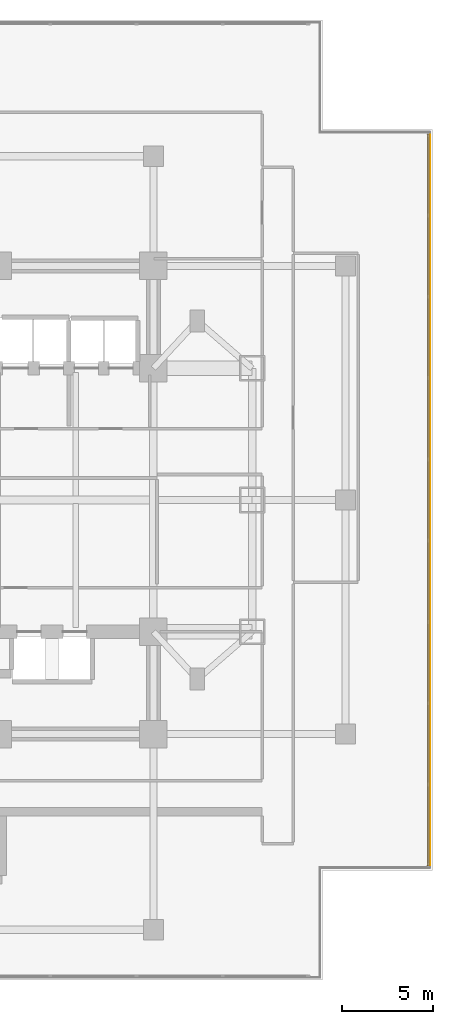
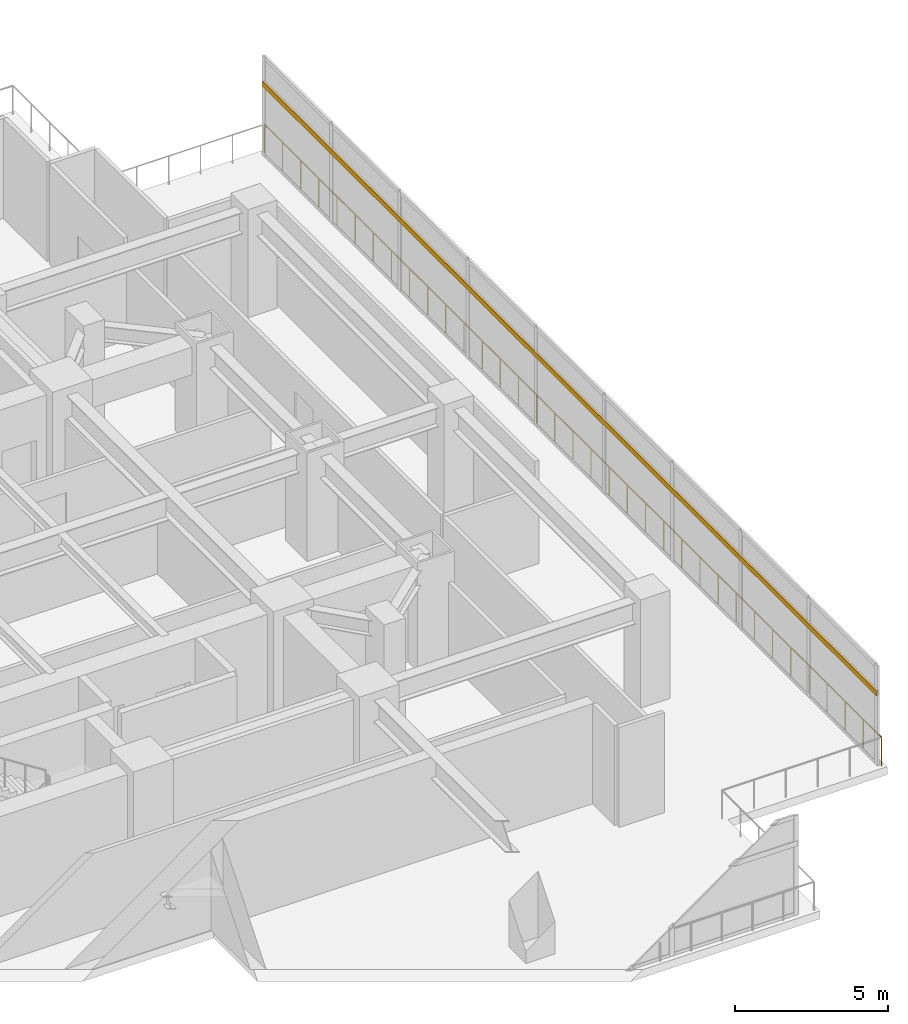
# One storey, part 29 of 31: 1 railing, 1 shading device.
"""IFC4 building model written with IfcOpenShell, lengths in metres."""

from ifc_helpers import new_model, si_unit, direction, frame, origin, origin_2d, place, context, subcontext, project, spatial, rectangle, circle, extrude, material, material_profile, profile_set, type_object, element, save


model = new_model("IFC4")

# Units and contexts
model_context = context("Model", 3, precision=1e-05, world=origin(), true_north=direction((0.0, 1.0)))
body_context = subcontext(model_context, "Body", "Model", "MODEL_VIEW")
ifc_project = project(units=[si_unit("LENGTHUNIT", "METRE"), si_unit("AREAUNIT", "SQUARE_METRE"), si_unit("VOLUMEUNIT", "CUBIC_METRE"), si_unit("PLANEANGLEUNIT", "RADIAN"), si_unit("MASSUNIT", "GRAM", prefix="KILO")], contexts=[model_context])

# Site, building, storey
site_placement = place(None, origin())
site = spatial("IfcSite", under=ifc_project, at=site_placement, CompositionType="ELEMENT")
building_placement = place(site_placement, origin())
building = spatial("IfcBuilding", under=site, at=building_placement, Name="Mirazonda Arch Towers", CompositionType="ELEMENT")
storey_placement = place(building_placement, frame((0.0, 0.0, 5.199951171875)))
storey = spatial("IfcBuildingStorey", under=building, at=storey_placement, Name="L01", CompositionType="ELEMENT", Elevation=5.199951171875)

# Shading device
ifc_material_1 = material(Name="Kiln-Fired Architectural Terracotta", Category="masonry")
ifc_material_profile = material_profile(ifc_material_1, rectangle(XDim=0.10009765625, YDim=0.199951171875, at=origin_2d()), Name="TERRA-BAG-100x200")
ifc_profile_set = profile_set([ifc_material_profile], Name="Kiln-Fired Architectural Terracotta")
shading_device_type = type_object("IfcShadingDeviceType", Name="BAGUETTE-2", PredefinedType="USERDEFINED", material=ifc_profile_set)
shading_device_placement = place(storey_placement, frame((100.030029296875, 8.0, 2.851318359375), z_axis=(0.0, 1.0, 0.0), x_axis=(-1.0, 0.0, 0.0)))
element("IfcShadingDevice", 1, at=shading_device_placement, inside=storey, type_object=shading_device_type, Name="L01 Glazed Terracotta Sun-Screen Baguette CW-L01-EE", ObjectType="BAGUETTE", PredefinedType="USERDEFINED", context=body_context, shape_type="SweptSolid", body=[
    extrude(rectangle(XDim=0.10009765625, YDim=0.199951171875, at=origin_2d()), origin(), (0.0, 0.0, 1.0), 40.0),
])

# Railing
ifc_material_2 = material(Name="Architectural Brushed Steel S355", Category="steel")
railing_type = type_object("IfcRailingType", Name="GUARD-EXT-1150", PredefinedType="GUARDRAIL", material=ifc_material_2)
railing_placement = place(storey_placement, frame((100.110107421875, 7.889892578125, 0.0)))
element("IfcRailing", 2, at=railing_placement, inside=storey, type_object=railing_type, Name="L01 L01 East Podium Perimeter Guard 04", PredefinedType="GUARDRAIL", context=body_context, shape_type="SweptSolid", body=[
    extrude(circle(Radius=0.02392578125, at=origin_2d()), frame((0.0, 0.0, 1.1259765625), z_axis=(0.0, 1.0, 0.0), x_axis=(-1.0, 0.0, 0.0)), (0.0, 0.0, 1.0), 40.22021484375),
    extrude(circle(Radius=0.02099609375, at=origin_2d()), origin(), (0.0, 0.0, 1.0), 1.101806640625),
    extrude(circle(Radius=0.02099609375, at=origin_2d()), frame((0.0, 1.182861328125, 0.0)), (0.0, 0.0, 1.0), 1.101806640625),
    extrude(circle(Radius=0.02099609375, at=origin_2d()), frame((0.0, 2.365966796875, 0.0)), (0.0, 0.0, 1.0), 1.101806640625),
    extrude(circle(Radius=0.02099609375, at=origin_2d()), frame((0.0, 3.548828125, 0.0)), (0.0, 0.0, 1.0), 1.101806640625),
    extrude(circle(Radius=0.02099609375, at=origin_2d()), frame((0.0, 4.731689453125, 0.0)), (0.0, 0.0, 1.0), 1.101806640625),
    extrude(circle(Radius=0.02099609375, at=origin_2d()), frame((0.0, 5.914794921875, 0.0)), (0.0, 0.0, 1.0), 1.101806640625),
    extrude(circle(Radius=0.02099609375, at=origin_2d()), frame((0.0, 7.09765625, 0.0)), (0.0, 0.0, 1.0), 1.101806640625),
    extrude(circle(Radius=0.02099609375, at=origin_2d()), frame((0.0, 8.280517578125, 0.0)), (0.0, 0.0, 1.0), 1.101806640625),
    extrude(circle(Radius=0.02099609375, at=origin_2d()), frame((0.0, 9.463623046875, 0.0)), (0.0, 0.0, 1.0), 1.101806640625),
    extrude(circle(Radius=0.02099609375, at=origin_2d()), frame((0.0, 10.646484375, 0.0)), (0.0, 0.0, 1.0), 1.101806640625),
    extrude(circle(Radius=0.02099609375, at=origin_2d()), frame((0.0, 11.82958984375, 0.0)), (0.0, 0.0, 1.0), 1.101806640625),
    extrude(circle(Radius=0.02099609375, at=origin_2d()), frame((0.0, 13.012451171875, 0.0)), (0.0, 0.0, 1.0), 1.101806640625),
    extrude(circle(Radius=0.02099609375, at=origin_2d()), frame((0.0, 14.1953125, 0.0)), (0.0, 0.0, 1.0), 1.101806640625),
    extrude(circle(Radius=0.02099609375, at=origin_2d()), frame((0.0, 15.37841796875, 0.0)), (0.0, 0.0, 1.0), 1.101806640625),
    extrude(circle(Radius=0.02099609375, at=origin_2d()), frame((0.0, 16.561279296875, 0.0)), (0.0, 0.0, 1.0), 1.101806640625),
    extrude(circle(Radius=0.02099609375, at=origin_2d()), frame((0.0, 17.744140625, 0.0)), (0.0, 0.0, 1.0), 1.101806640625),
    extrude(circle(Radius=0.02099609375, at=origin_2d()), frame((0.0, 18.92724609375, 0.0)), (0.0, 0.0, 1.0), 1.101806640625),
    extrude(circle(Radius=0.02099609375, at=origin_2d()), frame((0.0, 20.110107421875, 0.0)), (0.0, 0.0, 1.0), 1.101806640625),
    extrude(circle(Radius=0.02099609375, at=origin_2d()), frame((0.0, 21.29296875, 0.0)), (0.0, 0.0, 1.0), 1.101806640625),
    extrude(circle(Radius=0.02099609375, at=origin_2d()), frame((0.0, 22.47607421875, 0.0)), (0.0, 0.0, 1.0), 1.101806640625),
    extrude(circle(Radius=0.02099609375, at=origin_2d()), frame((0.0, 23.658935546875, 0.0)), (0.0, 0.0, 1.0), 1.101806640625),
    extrude(circle(Radius=0.02099609375, at=origin_2d()), frame((0.0, 24.841796875, 0.0)), (0.0, 0.0, 1.0), 1.101806640625),
    extrude(circle(Radius=0.02099609375, at=origin_2d()), frame((0.0, 26.02490234375, 0.0)), (0.0, 0.0, 1.0), 1.101806640625),
    extrude(circle(Radius=0.02099609375, at=origin_2d()), frame((0.0, 27.207763671875, 0.0)), (0.0, 0.0, 1.0), 1.101806640625),
    extrude(circle(Radius=0.02099609375, at=origin_2d()), frame((0.0, 28.390625, 0.0)), (0.0, 0.0, 1.0), 1.101806640625),
    extrude(circle(Radius=0.02099609375, at=origin_2d()), frame((0.0, 29.57373046875, 0.0)), (0.0, 0.0, 1.0), 1.101806640625),
    extrude(circle(Radius=0.02099609375, at=origin_2d()), frame((0.0, 30.756591796875, 0.0)), (0.0, 0.0, 1.0), 1.101806640625),
    extrude(circle(Radius=0.02099609375, at=origin_2d()), frame((0.0, 31.939697265625, 0.0)), (0.0, 0.0, 1.0), 1.101806640625),
    extrude(circle(Radius=0.02099609375, at=origin_2d()), frame((0.0, 33.12255859375, 0.0)), (0.0, 0.0, 1.0), 1.101806640625),
    extrude(circle(Radius=0.02099609375, at=origin_2d()), frame((0.0, 34.305419921875, 0.0)), (0.0, 0.0, 1.0), 1.101806640625),
    extrude(circle(Radius=0.02099609375, at=origin_2d()), frame((0.0, 35.488525390625, 0.0)), (0.0, 0.0, 1.0), 1.101806640625),
    extrude(circle(Radius=0.02099609375, at=origin_2d()), frame((0.0, 36.67138671875, 0.0)), (0.0, 0.0, 1.0), 1.101806640625),
    extrude(circle(Radius=0.02099609375, at=origin_2d()), frame((0.0, 37.854248046875, 0.0)), (0.0, 0.0, 1.0), 1.101806640625),
    extrude(circle(Radius=0.02099609375, at=origin_2d()), frame((0.0, 39.037353515625, 0.0)), (0.0, 0.0, 1.0), 1.101806640625),
    extrude(circle(Radius=0.02099609375, at=origin_2d()), frame((0.0, 40.22021484375, 0.0)), (0.0, 0.0, 1.0), 1.101806640625),
])

save(model, "model.ifc")
